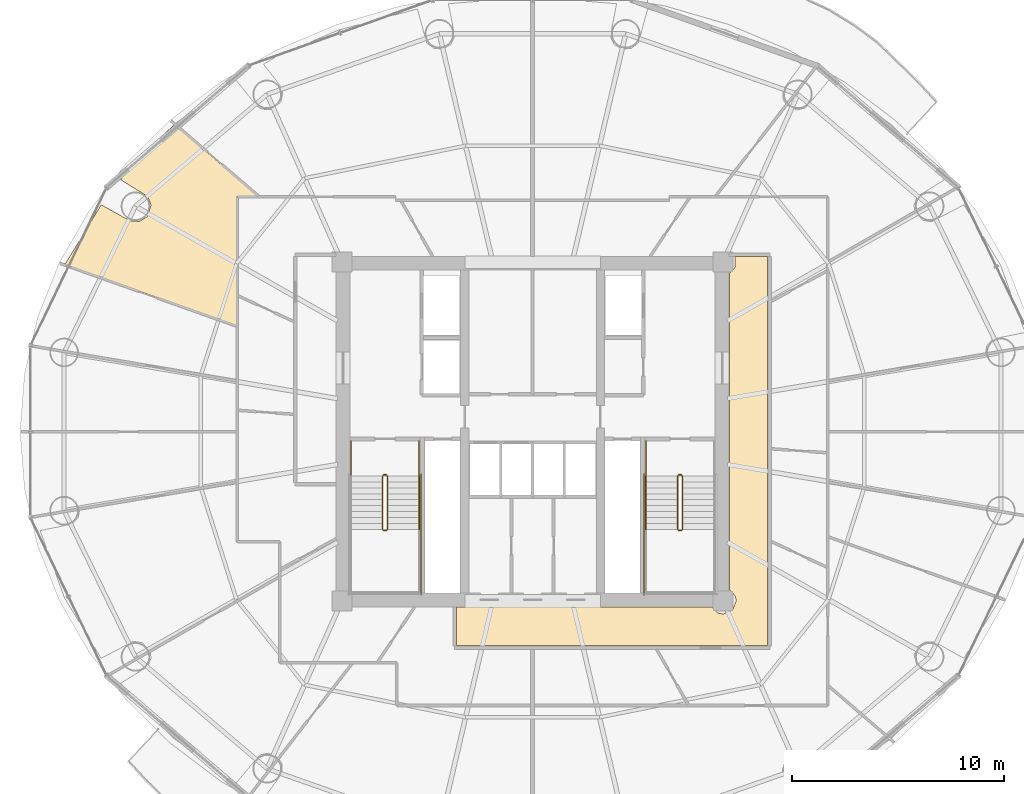
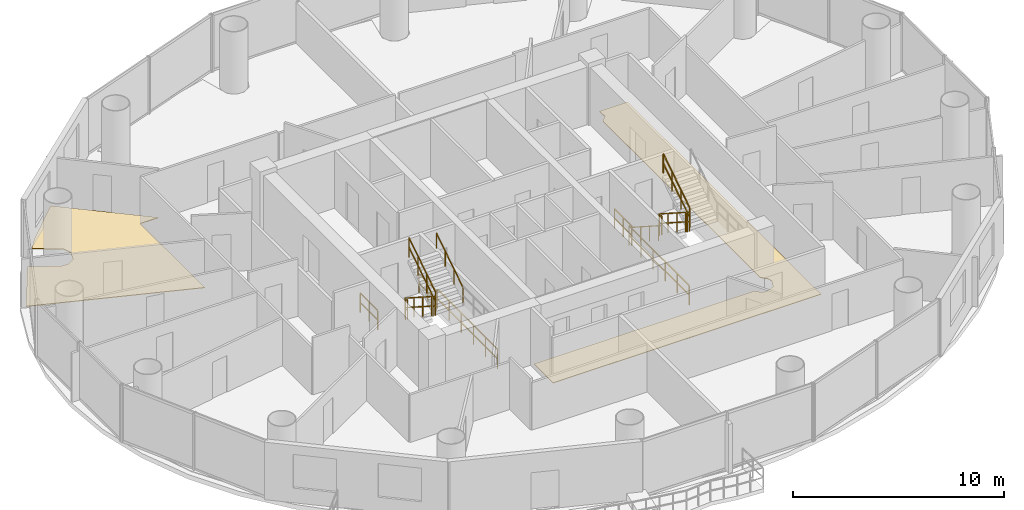
# One storey, part 25 of 26: 15 railings, 2 coverings.
"""IFC4 building model written with IfcOpenShell, lengths in metres."""

from ifc_helpers import new_model, si_unit, direction, frame, origin, origin_2d, place, context, subcontext, project, spatial, polyline, rectangle, outline, extrude, material, layer, layer_set, type_object, element, save


model = new_model("IFC4")

# Units and contexts
model_context = context("Model", 3, precision=1e-05, world=origin(), true_north=direction((-0.2419218956, 0.970295726276)))
body_context = subcontext(model_context, "Body", "Model", "MODEL_VIEW")
ifc_project = project(units=[si_unit("LENGTHUNIT", "METRE"), si_unit("AREAUNIT", "SQUARE_METRE"), si_unit("VOLUMEUNIT", "CUBIC_METRE"), si_unit("PLANEANGLEUNIT", "RADIAN"), si_unit("MASSUNIT", "GRAM", prefix="KILO")], contexts=[model_context])

# Site, building, storey
site_placement = place(None, origin())
site = spatial("IfcSite", under=ifc_project, at=site_placement, CompositionType="ELEMENT")
building_placement = place(site_placement, origin())
building = spatial("IfcBuilding", under=site, at=building_placement, Name="Cobrevalo Terracotta Tower", CompositionType="ELEMENT")
storey_placement = place(building_placement, frame((0.0, 0.0, 171.39990234375)))
storey = spatial("IfcBuildingStorey", under=building, at=storey_placement, Name="L45", CompositionType="ELEMENT", Elevation=171.39990234375)

# Coverings
ifc_material_1 = material(Name="Engineered Brazilian hardwood flooring", Category="wood")
ifc_layer_1 = layer(ifc_material_1, 0.028076171875)
ifc_layer_set_1 = layer_set([ifc_layer_1], Name="Engineered Brazilian hardwood flooring")
covering_type_1 = type_object("IfcCoveringType", Name="Engineered Hardwood Suite Flooring 28", PredefinedType="FLOORING", material=ifc_layer_set_1)
covering_1_placement = place(storey_placement, origin())
element("IfcCovering", 1, at=covering_1_placement, inside=storey, type_object=covering_type_1, Name="Flat L45A Master Bedroom floor finish", PredefinedType="FLOORING", context=body_context, shape_type="SweptSolid", body=[
    extrude(outline(polyline([(17.632568359375, 37.50634765625), (19.017822265625, 36.736572265625), (19.447265625, 36.725830078125), (19.810302734375, 36.955322265625), (19.988525390625, 37.4931640625), (19.834228515625, 37.89404296875), (18.551513671875, 38.6865234375), (19.02197265625, 39.29052734375), (21.0888671875, 41.308837890625), (25.049072265625, 37.905029296875), (24.044921875, 37.905029296875), (24.044921875, 31.78955078125), (15.918212890625, 34.6826171875), (17.632568359375, 37.50634765625)])), origin(), (0.0, 0.0, 1.0), 0.030029296875),
])
ifc_material_2 = material(Name="Honed terracotta and granite tile", Category="masonry")
ifc_layer_2 = layer(ifc_material_2, 0.034912109375)
ifc_layer_set_2 = layer_set([ifc_layer_2], Name="Honed terracotta and granite tile")
covering_type_2 = type_object("IfcCoveringType", Name="Honed Terracotta & Granite Interior Flooring 35", PredefinedType="FLOORING", material=ifc_layer_set_2)
covering_2_placement = place(storey_placement, origin())
element("IfcCovering", 2, at=covering_2_placement, inside=storey, type_object=covering_type_2, Name="L45 Residential Floor Corridor 1 floor finish", PredefinedType="FLOORING", context=body_context, shape_type="SweptSolid", body=[
    extrude(outline(polyline([(34.419921875, 18.5048828125), (46.46533203125, 18.5048828125), (46.7626953125, 18.226806640625), (47.0, 18.1796875), (47.438720703125, 18.361328125), (47.620361328125, 18.800048828125), (47.5732421875, 19.037353515625), (47.294921875, 19.334716796875), (47.294921875, 34.265380859375), (47.5732421875, 34.5625), (47.5615234375, 35.054931640625), (49.10498046875, 35.054931640625), (49.10498046875, 16.695068359375), (34.419921875, 16.695068359375), (34.419921875, 18.5048828125)])), origin(), (0.0, 0.0, 1.0), 0.030029296875),
])

# Railings
ifc_material_3 = material(Name="Brushed stainless steel", Category="steel")
railing_type_1 = type_object("IfcRailingType", Name="Stainless Steel Stair Handrail 900", PredefinedType="HANDRAIL", material=ifc_material_3)
railing_1_placement = place(storey_placement, frame((32.64501953125, 22.179931640625, 1.97998046875)))
element("IfcRailing", 3, at=railing_1_placement, inside=storey, type_object=railing_type_1, Name="L45 ST-1 stair handrail 2", PredefinedType="HANDRAIL", context=body_context, shape_type="SweptSolid", body=[
    extrude(rectangle(XDim=0.048095703125, YDim=0.048095703125, at=origin_2d()), frame((0.0, 0.0, 0.8759765625), z_axis=(0.0, 0.841162588446, 0.540782303519), x_axis=(-1.0, 0.0, 0.0)), (0.0, 0.0, 1.0), 2.995849609375),
    extrude(rectangle(XDim=0.0419921875, YDim=0.0419921875, at=origin_2d()), origin(), (0.0, 0.0, 1.0), 0.851806640625),
    extrude(rectangle(XDim=0.0419921875, YDim=0.0419921875, at=origin_2d()), frame((0.0, 0.840087890625, 0.5400390625)), (0.0, 0.0, 1.0), 0.851806640625),
    extrude(rectangle(XDim=0.0419921875, YDim=0.0419921875, at=origin_2d()), frame((0.0, 1.679931640625, 1.080078125)), (0.0, 0.0, 1.0), 0.851806640625),
    extrude(rectangle(XDim=0.0419921875, YDim=0.0419921875, at=origin_2d()), frame((0.0, 2.52001953125, 1.6201171875)), (0.0, 0.0, 1.0), 0.851806640625),
])
railing_2_placement = place(storey_placement, frame((43.35498046875, 24.699951171875, 0.18017578125)))
element("IfcRailing", 4, at=railing_2_placement, inside=storey, type_object=railing_type_1, Name="L45 ST-2 stair handrail 1", PredefinedType="HANDRAIL", context=body_context, shape_type="SweptSolid", body=[
    extrude(rectangle(XDim=0.048095703125, YDim=0.048095703125, at=origin_2d()), frame((0.0, 0.0, 0.8759765625), z_axis=(0.0, -0.841199657755, 0.540724639528), x_axis=(1.0, 0.0, 0.0)), (0.0, 0.0, 1.0), 2.995849609375),
    extrude(rectangle(XDim=0.0419921875, YDim=0.0419921875, at=origin_2d()), origin(), (0.0, 0.0, 1.0), 0.851806640625),
    extrude(rectangle(XDim=0.0419921875, YDim=0.0419921875, at=origin_2d()), frame((0.0, -0.840087890625, 0.5400390625)), (0.0, 0.0, 1.0), 0.851806640625),
    extrude(rectangle(XDim=0.0419921875, YDim=0.0419921875, at=origin_2d()), frame((0.0, -1.679931640625, 1.079833984375)), (0.0, 0.0, 1.0), 0.851806640625),
    extrude(rectangle(XDim=0.0419921875, YDim=0.0419921875, at=origin_2d()), frame((0.0, -2.52001953125, 1.619873046875)), (0.0, 0.0, 1.0), 0.851806640625),
])
ifc_material_4 = material(Name="Painted galvanized steel", Category="steel")
railing_type_2 = type_object("IfcRailingType", Name="Stair Well Guard Balustrade 1150", PredefinedType="GUARDRAIL", material=ifc_material_4)
railing_3_placement = place(storey_placement, frame((30.925048828125, 24.699951171875, 0.18017578125)))
element("IfcRailing", 5, at=railing_3_placement, inside=storey, type_object=railing_type_2, Name="L45 ST-1 stair guard 1", PredefinedType="GUARDRAIL", context=body_context, shape_type="SweptSolid", body=[
    extrude(rectangle(XDim=0.048095703125, YDim=0.048095703125, at=origin_2d()), frame((0.0, 0.0, 1.1259765625), z_axis=(0.0, -0.841199657755, 0.540724639528), x_axis=(1.0, 0.0, 0.0)), (0.0, 0.0, 1.0), 2.995849609375),
    extrude(rectangle(XDim=0.048095703125, YDim=0.048095703125, at=origin_2d()), frame((0.0, 0.0, 0.574951171875), z_axis=(0.0, -0.841199657755, 0.540724639528), x_axis=(1.0, 0.0, 0.0)), (0.0, 0.0, 1.0), 2.995849609375),
    extrude(rectangle(XDim=0.0419921875, YDim=0.0419921875, at=origin_2d()), origin(), (0.0, 0.0, 1.0), 1.101806640625),
    extrude(rectangle(XDim=0.0419921875, YDim=0.0419921875, at=origin_2d()), frame((0.0, -0.840087890625, 0.5400390625)), (0.0, 0.0, 1.0), 1.101806640625),
    extrude(rectangle(XDim=0.0419921875, YDim=0.0419921875, at=origin_2d()), frame((0.0, -1.679931640625, 1.079833984375)), (0.0, 0.0, 1.0), 1.101806640625),
    extrude(rectangle(XDim=0.0419921875, YDim=0.0419921875, at=origin_2d()), frame((0.0, -2.52001953125, 1.619873046875)), (0.0, 0.0, 1.0), 1.101806640625),
])
railing_4_placement = place(storey_placement, frame((30.97509765625, 22.1298828125, 1.800048828125)))
element("IfcRailing", 6, at=railing_4_placement, inside=storey, type_object=railing_type_2, Name="L45 ST-1 stair guard 2", PredefinedType="GUARDRAIL", context=body_context, shape_type="SweptSolid", body=[
    extrude(rectangle(XDim=0.048095703125, YDim=0.048095703125, at=origin_2d()), frame((0.0, 0.0, 1.1259765625), z_axis=(1.0, 0.0, 0.0), x_axis=(0.0, 1.0, 0.0)), (0.0, 0.0, 1.0), 0.119873046875),
    extrude(rectangle(XDim=0.048095703125, YDim=0.048095703125, at=origin_2d()), frame((0.0, 0.0, 0.574951171875), z_axis=(1.0, 0.0, 0.0), x_axis=(0.0, 1.0, 0.0)), (0.0, 0.0, 1.0), 0.119873046875),
    extrude(rectangle(XDim=0.0419921875, YDim=0.0419921875, at=origin_2d()), origin(), (0.0, 0.0, 1.0), 1.101806640625),
    extrude(rectangle(XDim=0.0419921875, YDim=0.0419921875, at=origin_2d()), frame((0.119873046875, 0.0, 0.0)), (0.0, 0.0, 1.0), 1.101806640625),
])
railing_5_placement = place(storey_placement, frame((31.14501953125, 22.179931640625, 1.97998046875)))
element("IfcRailing", 7, at=railing_5_placement, inside=storey, type_object=railing_type_2, Name="L45 ST-1 stair guard 6", PredefinedType="GUARDRAIL", context=body_context, shape_type="SweptSolid", body=[
    extrude(rectangle(XDim=0.048095703125, YDim=0.048095703125, at=origin_2d()), frame((0.0, 0.0, 1.1259765625), z_axis=(0.0, 0.841162588446, 0.540782303519), x_axis=(-1.0, 0.0, 0.0)), (0.0, 0.0, 1.0), 2.995849609375),
    extrude(rectangle(XDim=0.048095703125, YDim=0.048095703125, at=origin_2d()), frame((0.0, 0.0, 0.574951171875), z_axis=(0.0, 0.841162588446, 0.540782303519), x_axis=(-1.0, 0.0, 0.0)), (0.0, 0.0, 1.0), 2.995849609375),
    extrude(rectangle(XDim=0.0419921875, YDim=0.0419921875, at=origin_2d()), origin(), (0.0, 0.0, 1.0), 1.101806640625),
    extrude(rectangle(XDim=0.0419921875, YDim=0.0419921875, at=origin_2d()), frame((0.0, 0.840087890625, 0.5400390625)), (0.0, 0.0, 1.0), 1.101806640625),
    extrude(rectangle(XDim=0.0419921875, YDim=0.0419921875, at=origin_2d()), frame((0.0, 1.679931640625, 1.080078125)), (0.0, 0.0, 1.0), 1.101806640625),
    extrude(rectangle(XDim=0.0419921875, YDim=0.0419921875, at=origin_2d()), frame((0.0, 2.52001953125, 1.6201171875)), (0.0, 0.0, 1.0), 1.101806640625),
])
railing_6_placement = place(storey_placement, frame((30.97509765625, 24.75, 0.0)))
element("IfcRailing", 8, at=railing_6_placement, inside=storey, type_object=railing_type_2, Name="L45 ST-1 stair guard 7", PredefinedType="GUARDRAIL", context=body_context, shape_type="SweptSolid", body=[
    extrude(rectangle(XDim=0.048095703125, YDim=0.048095703125, at=origin_2d()), frame((0.0, 0.0, 1.1259765625), z_axis=(1.0, 0.0, 0.0), x_axis=(0.0, 1.0, 0.0)), (0.0, 0.0, 1.0), 0.119873046875),
    extrude(rectangle(XDim=0.048095703125, YDim=0.048095703125, at=origin_2d()), frame((0.0, 0.0, 0.574951171875), z_axis=(1.0, 0.0, 0.0), x_axis=(0.0, 1.0, 0.0)), (0.0, 0.0, 1.0), 0.119873046875),
    extrude(rectangle(XDim=0.0419921875, YDim=0.0419921875, at=origin_2d()), origin(), (0.0, 0.0, 1.0), 1.101806640625),
    extrude(rectangle(XDim=0.0419921875, YDim=0.0419921875, at=origin_2d()), frame((0.119873046875, 0.0, 0.0)), (0.0, 0.0, 1.0), 1.101806640625),
])
for number, where, name in (
    (9, (29.425048828125, 26.35009765625, 0.0), "L45 ST-1 stair guard 8"),
    (10, (32.64501953125, 26.35009765625, 0.0), "L45 ST-1 stair guard 9"),
):
    element("IfcRailing", number, at=place(storey_placement, frame(where)), inside=storey, type_object=railing_type_2, Name=name, PredefinedType="GUARDRAIL", context=body_context, shape_type="SweptSolid", body=[
        extrude(rectangle(XDim=0.048095703125, YDim=0.048095703125, at=origin_2d()), frame((0.0, 0.0, 1.1259765625), z_axis=(0.0, -1.0, 0.0), x_axis=(1.0, 0.0, 0.0)), (0.0, 0.0, 1.0), 1.650146484375),
        extrude(rectangle(XDim=0.048095703125, YDim=0.048095703125, at=origin_2d()), frame((0.0, 0.0, 0.574951171875), z_axis=(0.0, -1.0, 0.0), x_axis=(1.0, 0.0, 0.0)), (0.0, 0.0, 1.0), 1.650146484375),
        extrude(rectangle(XDim=0.0419921875, YDim=0.0419921875, at=origin_2d()), origin(), (0.0, 0.0, 1.0), 1.101806640625),
        extrude(rectangle(XDim=0.0419921875, YDim=0.0419921875, at=origin_2d()), frame((0.0, -0.8251953125, 0.0)), (0.0, 0.0, 1.0), 1.101806640625),
        extrude(rectangle(XDim=0.0419921875, YDim=0.0419921875, at=origin_2d()), frame((0.0, -1.650146484375, 0.0)), (0.0, 0.0, 1.0), 1.101806640625),
    ])
railing_7_placement = place(storey_placement, frame((32.7451171875, 24.800048828125, 0.0)))
element("IfcRailing", 11, at=railing_7_placement, inside=storey, type_object=railing_type_2, Name="L45 ST-1 stair guard 11", PredefinedType="GUARDRAIL", context=body_context, shape_type="SweptSolid", body=[
    extrude(rectangle(XDim=0.048095703125, YDim=0.048095703125, at=origin_2d()), frame((0.0, 0.0, 1.1259765625), z_axis=(0.0, -1.0, 0.0), x_axis=(1.0, 0.0, 0.0)), (0.0, 0.0, 1.0), 5.72509765625),
    extrude(rectangle(XDim=0.048095703125, YDim=0.048095703125, at=origin_2d()), frame((0.0, 0.0, 0.574951171875), z_axis=(0.0, -1.0, 0.0), x_axis=(1.0, 0.0, 0.0)), (0.0, 0.0, 1.0), 5.72509765625),
    extrude(rectangle(XDim=0.0419921875, YDim=0.0419921875, at=origin_2d()), origin(), (0.0, 0.0, 1.0), 1.101806640625),
    extrude(rectangle(XDim=0.0419921875, YDim=0.0419921875, at=origin_2d()), frame((0.0, -1.14501953125, 0.0)), (0.0, 0.0, 1.0), 1.101806640625),
    extrude(rectangle(XDim=0.0419921875, YDim=0.0419921875, at=origin_2d()), frame((0.0, -2.2900390625, 0.0)), (0.0, 0.0, 1.0), 1.101806640625),
    extrude(rectangle(XDim=0.0419921875, YDim=0.0419921875, at=origin_2d()), frame((0.0, -3.43505859375, 0.0)), (0.0, 0.0, 1.0), 1.101806640625),
    extrude(rectangle(XDim=0.0419921875, YDim=0.0419921875, at=origin_2d()), frame((0.0, -4.580078125, 0.0)), (0.0, 0.0, 1.0), 1.101806640625),
    extrude(rectangle(XDim=0.0419921875, YDim=0.0419921875, at=origin_2d()), frame((0.0, -5.72509765625, 0.0)), (0.0, 0.0, 1.0), 1.101806640625),
])
railing_8_placement = place(storey_placement, frame((44.85498046875, 24.699951171875, 0.18017578125)))
element("IfcRailing", 12, at=railing_8_placement, inside=storey, type_object=railing_type_2, Name="L45 ST-2 stair guard 1", PredefinedType="GUARDRAIL", context=body_context, shape_type="SweptSolid", body=[
    extrude(rectangle(XDim=0.048095703125, YDim=0.048095703125, at=origin_2d()), frame((0.0, 0.0, 1.1259765625), z_axis=(0.0, -0.841199657755, 0.540724639528), x_axis=(1.0, 0.0, 0.0)), (0.0, 0.0, 1.0), 2.995849609375),
    extrude(rectangle(XDim=0.048095703125, YDim=0.048095703125, at=origin_2d()), frame((0.0, 0.0, 0.574951171875), z_axis=(0.0, -0.841199657755, 0.540724639528), x_axis=(1.0, 0.0, 0.0)), (0.0, 0.0, 1.0), 2.995849609375),
    extrude(rectangle(XDim=0.0419921875, YDim=0.0419921875, at=origin_2d()), origin(), (0.0, 0.0, 1.0), 1.101806640625),
    extrude(rectangle(XDim=0.0419921875, YDim=0.0419921875, at=origin_2d()), frame((0.0, -0.840087890625, 0.5400390625)), (0.0, 0.0, 1.0), 1.101806640625),
    extrude(rectangle(XDim=0.0419921875, YDim=0.0419921875, at=origin_2d()), frame((0.0, -1.679931640625, 1.079833984375)), (0.0, 0.0, 1.0), 1.101806640625),
    extrude(rectangle(XDim=0.0419921875, YDim=0.0419921875, at=origin_2d()), frame((0.0, -2.52001953125, 1.619873046875)), (0.0, 0.0, 1.0), 1.101806640625),
])
railing_9_placement = place(storey_placement, frame((44.905029296875, 22.1298828125, 1.800048828125)))
element("IfcRailing", 13, at=railing_9_placement, inside=storey, type_object=railing_type_2, Name="L45 ST-2 stair guard 2", PredefinedType="GUARDRAIL", context=body_context, shape_type="SweptSolid", body=[
    extrude(rectangle(XDim=0.048095703125, YDim=0.048095703125, at=origin_2d()), frame((0.0, 0.0, 1.1259765625), z_axis=(1.0, 0.0, 0.0), x_axis=(0.0, 1.0, 0.0)), (0.0, 0.0, 1.0), 0.119873046875),
    extrude(rectangle(XDim=0.048095703125, YDim=0.048095703125, at=origin_2d()), frame((0.0, 0.0, 0.574951171875), z_axis=(1.0, 0.0, 0.0), x_axis=(0.0, 1.0, 0.0)), (0.0, 0.0, 1.0), 0.119873046875),
    extrude(rectangle(XDim=0.0419921875, YDim=0.0419921875, at=origin_2d()), origin(), (0.0, 0.0, 1.0), 1.101806640625),
    extrude(rectangle(XDim=0.0419921875, YDim=0.0419921875, at=origin_2d()), frame((0.119873046875, 0.0, 0.0)), (0.0, 0.0, 1.0), 1.101806640625),
])
railing_10_placement = place(storey_placement, frame((45.074951171875, 22.179931640625, 1.97998046875)))
element("IfcRailing", 14, at=railing_10_placement, inside=storey, type_object=railing_type_2, Name="L45 ST-2 stair guard 6", PredefinedType="GUARDRAIL", context=body_context, shape_type="SweptSolid", body=[
    extrude(rectangle(XDim=0.048095703125, YDim=0.048095703125, at=origin_2d()), frame((0.0, 0.0, 1.1259765625), z_axis=(0.0, 0.841162588446, 0.540782303519), x_axis=(-1.0, 0.0, 0.0)), (0.0, 0.0, 1.0), 2.995849609375),
    extrude(rectangle(XDim=0.048095703125, YDim=0.048095703125, at=origin_2d()), frame((0.0, 0.0, 0.574951171875), z_axis=(0.0, 0.841162588446, 0.540782303519), x_axis=(-1.0, 0.0, 0.0)), (0.0, 0.0, 1.0), 2.995849609375),
    extrude(rectangle(XDim=0.0419921875, YDim=0.0419921875, at=origin_2d()), origin(), (0.0, 0.0, 1.0), 1.101806640625),
    extrude(rectangle(XDim=0.0419921875, YDim=0.0419921875, at=origin_2d()), frame((0.0, 0.840087890625, 0.5400390625)), (0.0, 0.0, 1.0), 1.101806640625),
    extrude(rectangle(XDim=0.0419921875, YDim=0.0419921875, at=origin_2d()), frame((0.0, 1.679931640625, 1.080078125)), (0.0, 0.0, 1.0), 1.101806640625),
    extrude(rectangle(XDim=0.0419921875, YDim=0.0419921875, at=origin_2d()), frame((0.0, 2.52001953125, 1.6201171875)), (0.0, 0.0, 1.0), 1.101806640625),
])
railing_11_placement = place(storey_placement, frame((44.905029296875, 24.75, 0.0)))
element("IfcRailing", 15, at=railing_11_placement, inside=storey, type_object=railing_type_2, Name="L45 ST-2 stair guard 7", PredefinedType="GUARDRAIL", context=body_context, shape_type="SweptSolid", body=[
    extrude(rectangle(XDim=0.048095703125, YDim=0.048095703125, at=origin_2d()), frame((0.0, 0.0, 1.1259765625), z_axis=(1.0, 0.0, 0.0), x_axis=(0.0, 1.0, 0.0)), (0.0, 0.0, 1.0), 0.119873046875),
    extrude(rectangle(XDim=0.048095703125, YDim=0.048095703125, at=origin_2d()), frame((0.0, 0.0, 0.574951171875), z_axis=(1.0, 0.0, 0.0), x_axis=(0.0, 1.0, 0.0)), (0.0, 0.0, 1.0), 0.119873046875),
    extrude(rectangle(XDim=0.0419921875, YDim=0.0419921875, at=origin_2d()), origin(), (0.0, 0.0, 1.0), 1.101806640625),
    extrude(rectangle(XDim=0.0419921875, YDim=0.0419921875, at=origin_2d()), frame((0.119873046875, 0.0, 0.0)), (0.0, 0.0, 1.0), 1.101806640625),
])
railing_12_placement = place(storey_placement, frame((43.35498046875, 26.35009765625, 0.0)))
element("IfcRailing", 16, at=railing_12_placement, inside=storey, type_object=railing_type_2, Name="L45 ST-2 stair guard 8", PredefinedType="GUARDRAIL", context=body_context, shape_type="SweptSolid", body=[
    extrude(rectangle(XDim=0.048095703125, YDim=0.048095703125, at=origin_2d()), frame((0.0, 0.0, 1.1259765625), z_axis=(0.0, -1.0, 0.0), x_axis=(1.0, 0.0, 0.0)), (0.0, 0.0, 1.0), 1.650146484375),
    extrude(rectangle(XDim=0.048095703125, YDim=0.048095703125, at=origin_2d()), frame((0.0, 0.0, 0.574951171875), z_axis=(0.0, -1.0, 0.0), x_axis=(1.0, 0.0, 0.0)), (0.0, 0.0, 1.0), 1.650146484375),
    extrude(rectangle(XDim=0.0419921875, YDim=0.0419921875, at=origin_2d()), origin(), (0.0, 0.0, 1.0), 1.101806640625),
    extrude(rectangle(XDim=0.0419921875, YDim=0.0419921875, at=origin_2d()), frame((0.0, -0.8251953125, 0.0)), (0.0, 0.0, 1.0), 1.101806640625),
    extrude(rectangle(XDim=0.0419921875, YDim=0.0419921875, at=origin_2d()), frame((0.0, -1.650146484375, 0.0)), (0.0, 0.0, 1.0), 1.101806640625),
])
railing_13_placement = place(storey_placement, frame((43.2548828125, 24.800048828125, 0.0)))
element("IfcRailing", 17, at=railing_13_placement, inside=storey, type_object=railing_type_2, Name="L45 ST-2 stair guard 10", PredefinedType="GUARDRAIL", context=body_context, shape_type="SweptSolid", body=[
    extrude(rectangle(XDim=0.048095703125, YDim=0.048095703125, at=origin_2d()), frame((0.0, 0.0, 1.1259765625), z_axis=(0.0, -1.0, 0.0), x_axis=(1.0, 0.0, 0.0)), (0.0, 0.0, 1.0), 5.72509765625),
    extrude(rectangle(XDim=0.048095703125, YDim=0.048095703125, at=origin_2d()), frame((0.0, 0.0, 0.574951171875), z_axis=(0.0, -1.0, 0.0), x_axis=(1.0, 0.0, 0.0)), (0.0, 0.0, 1.0), 5.72509765625),
    extrude(rectangle(XDim=0.0419921875, YDim=0.0419921875, at=origin_2d()), origin(), (0.0, 0.0, 1.0), 1.101806640625),
    extrude(rectangle(XDim=0.0419921875, YDim=0.0419921875, at=origin_2d()), frame((0.0, -1.14501953125, 0.0)), (0.0, 0.0, 1.0), 1.101806640625),
    extrude(rectangle(XDim=0.0419921875, YDim=0.0419921875, at=origin_2d()), frame((0.0, -2.2900390625, 0.0)), (0.0, 0.0, 1.0), 1.101806640625),
    extrude(rectangle(XDim=0.0419921875, YDim=0.0419921875, at=origin_2d()), frame((0.0, -3.43505859375, 0.0)), (0.0, 0.0, 1.0), 1.101806640625),
    extrude(rectangle(XDim=0.0419921875, YDim=0.0419921875, at=origin_2d()), frame((0.0, -4.580078125, 0.0)), (0.0, 0.0, 1.0), 1.101806640625),
    extrude(rectangle(XDim=0.0419921875, YDim=0.0419921875, at=origin_2d()), frame((0.0, -5.72509765625, 0.0)), (0.0, 0.0, 1.0), 1.101806640625),
])

save(model, "model.ifc")
